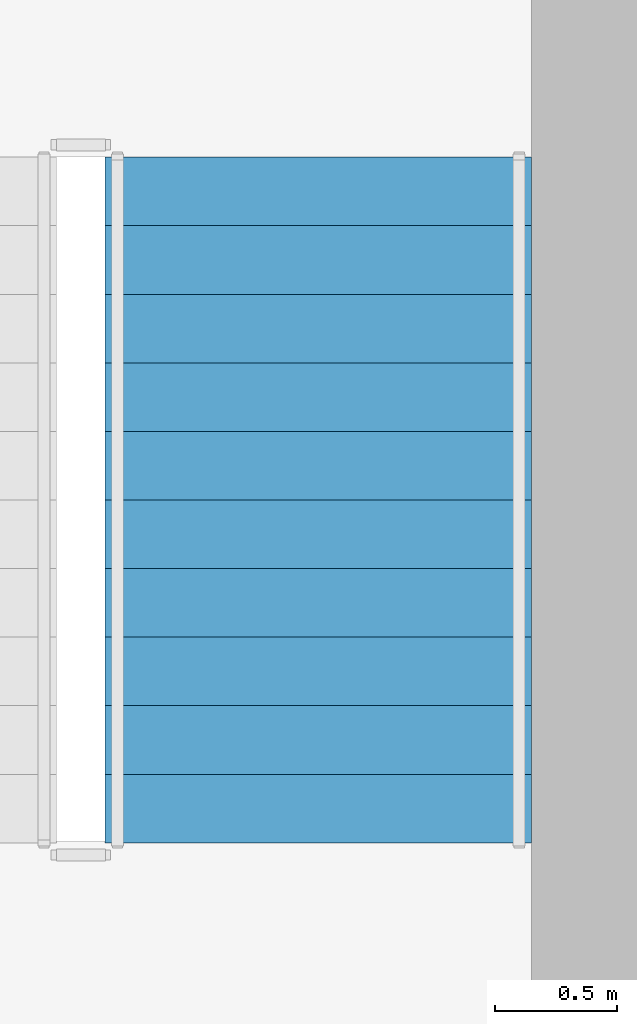
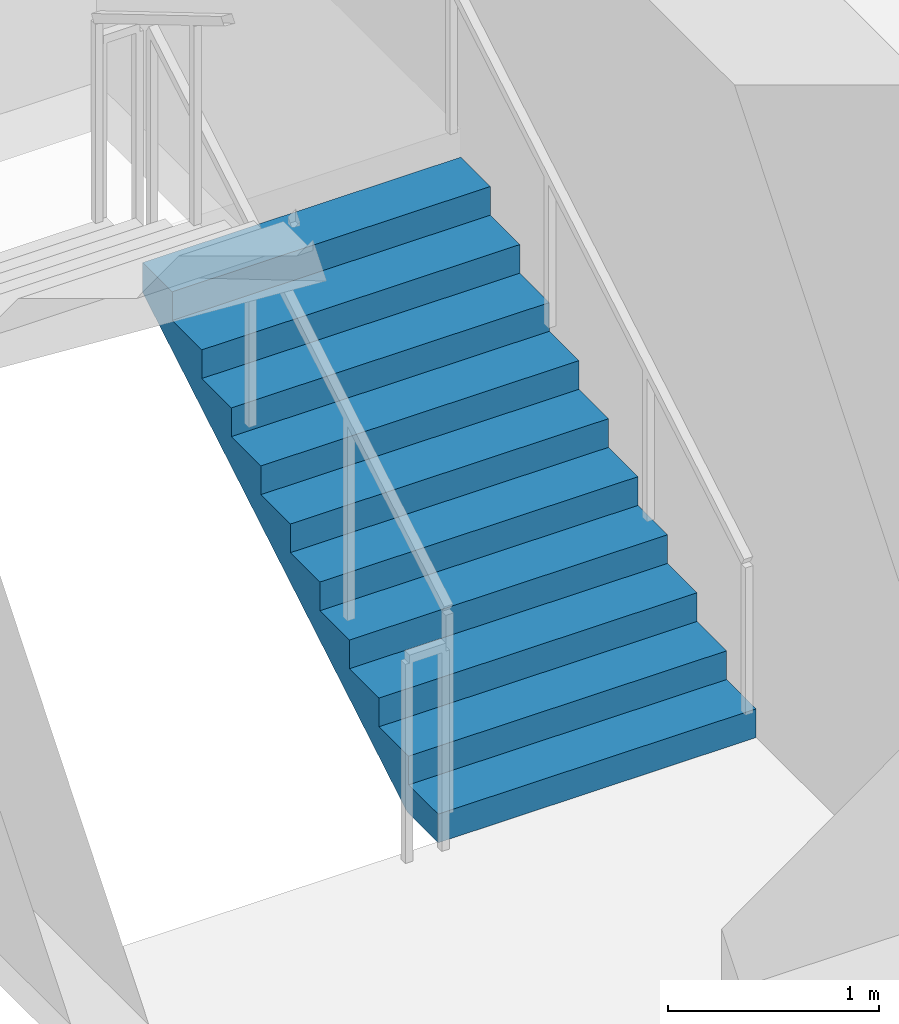
# One storey, part 11 of 12: 1 stair flight, 1 element without a shape of its own.
"""IFC4 building model written with IfcOpenShell, lengths in metres."""

from ifc_helpers import new_model, si_unit, direction, frame, origin, place, context, subcontext, project, spatial, polyline, outline, extrude, material, type_object, element, aggregate, save


model = new_model("IFC4")

# Units and contexts
model_context = context("Model", 3, precision=1e-05, world=origin(), true_north=direction((0.0, 1.0)))
body_context = subcontext(model_context, "Body", "Model", "MODEL_VIEW")
ifc_project = project(units=[si_unit("LENGTHUNIT", "METRE"), si_unit("AREAUNIT", "SQUARE_METRE"), si_unit("VOLUMEUNIT", "CUBIC_METRE"), si_unit("PLANEANGLEUNIT", "RADIAN"), si_unit("MASSUNIT", "GRAM", prefix="KILO")], contexts=[model_context])

# Site, building, storey
site_placement = place(None, origin())
site = spatial("IfcSite", under=ifc_project, at=site_placement, CompositionType="ELEMENT")
building_placement = place(site_placement, origin())
building = spatial("IfcBuilding", under=site, at=building_placement, Name="Talyreon Biosciences Tower", CompositionType="ELEMENT")
storey_placement = place(building_placement, frame((0.0, 0.0, 152.75)))
storey = spatial("IfcBuildingStorey", under=building, at=storey_placement, Name="L40", CompositionType="ELEMENT", Elevation=152.75)

# Stair, stair flight
ifc_material = material(Name="Concrete C40/50", Category="concrete")
stair_type = type_object("IfcStairType", Name="DoglegEscapeStair_3650", PredefinedType="HALF_TURN_STAIR", material=ifc_material)
stair_placement = place(storey_placement, origin())
stair = element("IfcStair", 1, at=stair_placement, inside=storey, type_object=stair_type, Name="L40 Core Escape Stair 2", PredefinedType="HALF_TURN_STAIR")
stair_flight_type = type_object("IfcStairFlightType", Name="PrecastStairFlight_3650", PredefinedType="STRAIGHT", material=ifc_material)
stair_flight_placement = place(storey_placement, frame((72.8798828125, 63.39990234375, 0.0), z_axis=(0.0, 0.0, 1.0), x_axis=(0.0, 1.0, 0.0)))
stair_flight = element("IfcStairFlight", 2, at=stair_flight_placement, type_object=stair_flight_type, Name="ST-2 flight 1", NumberOfRisers=11, NumberOfTreads=10, PredefinedType="STRAIGHT", RiserHeight=0.165909091, TreadLength=0.28, context=body_context, shape_type="SweptSolid", body=[
    extrude(outline(polyline([(0.0, 0.0), (0.0, 0.166015625), (0.280029296875, 0.166015625), (0.280029296875, 0.331787109375), (0.56005859375, 0.331787109375), (0.56005859375, 0.497802734375), (0.840087890625, 0.497802734375), (0.840087890625, 0.66357421875), (1.1201171875, 0.66357421875), (1.1201171875, 0.82958984375), (1.39990234375, 0.82958984375), (1.39990234375, 0.995361328125), (1.679931640625, 0.995361328125), (1.679931640625, 1.161376953125), (1.9599609375, 1.161376953125), (1.9599609375, 1.327392578125), (2.239990234375, 1.327392578125), (2.239990234375, 1.4931640625), (2.52001953125, 1.4931640625), (2.52001953125, 1.6591796875), (2.800048828125, 1.6591796875), (2.800048828125, 1.824951171875), (2.800048828125, 1.48486328125), (0.2939453125, 0.0), (0.0, 0.0)])), frame((0.0, 0.8701171875, 0.0), z_axis=(0.0, -1.0, 0.0), x_axis=(1.0, 0.0, 0.0)), (0.0, 0.0, 1.0), 1.739990234375),
])
aggregate(stair, [stair_flight])

save(model, "model.ifc")
